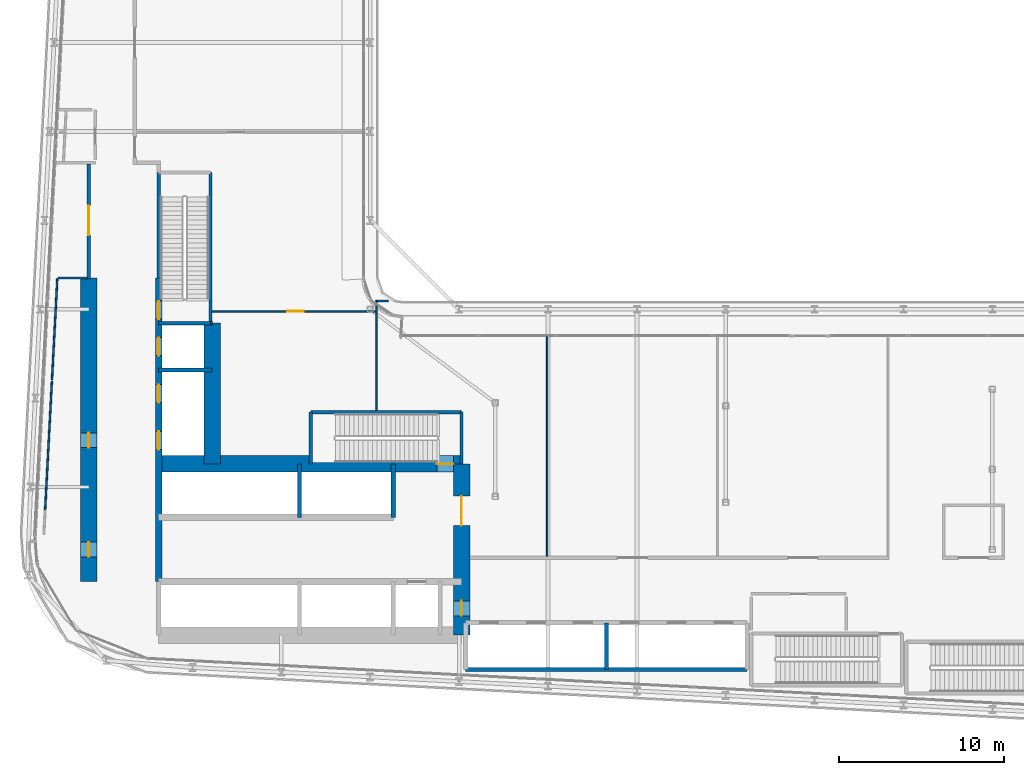
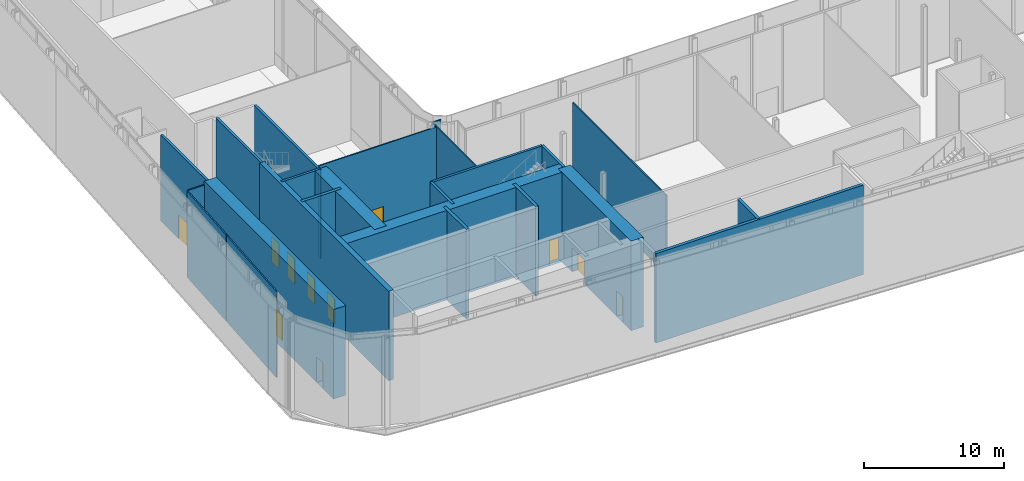
# One storey, part 25 of 36: 25 walls, 11 doors, 11 openings.
"""IFC4 building model written with IfcOpenShell, lengths in metres."""

from ifc_helpers import new_model, si_unit, direction, frame, frame_2d, origin, place, context, subcontext, project, spatial, rectangle, extrude, source, transform, mapped, material, layer, layer_set, type_object, element, fill, save


model = new_model("IFC4")

# Units and contexts
model_context = context("Model", 3, precision=1e-05, world=origin(), true_north=direction((0.0, 1.0)))
body_context = subcontext(model_context, "Body", "Model", "MODEL_VIEW")
ifc_project = project(units=[si_unit("LENGTHUNIT", "METRE"), si_unit("AREAUNIT", "SQUARE_METRE"), si_unit("VOLUMEUNIT", "CUBIC_METRE"), si_unit("PLANEANGLEUNIT", "RADIAN"), si_unit("MASSUNIT", "GRAM", prefix="KILO")], contexts=[model_context])

# Site, building, storey
site_placement = place(None, origin())
site = spatial("IfcSite", under=ifc_project, at=site_placement, CompositionType="ELEMENT")
building_placement = place(site_placement, origin())
building = spatial("IfcBuilding", under=site, at=building_placement, Name="Kheshtan School and Residences Tower", CompositionType="ELEMENT")
storey_placement = place(building_placement, frame((0.0, 0.0, 81.199951171875)))
storey = spatial("IfcBuildingStorey", under=building, at=storey_placement, Name="L19", CompositionType="ELEMENT", Elevation=81.199951171875)

# Wall, opening, door
ifc_material_1 = material(Name="Concrete C80/95", Category="concrete")
ifc_layer_1 = layer(ifc_material_1, 1.0)
ifc_layer_set_1 = layer_set([ifc_layer_1], Name="Core wall 1000 Concrete C80/95")
wall_type_1 = type_object("IfcWallType", Name="Core wall 1000 Concrete C80/95", PredefinedType="SHEAR", material=ifc_layer_set_1)
wall_1_placement = place(storey_placement, frame((34.75, 36.199951171875, 0.0), z_axis=(0.0, 0.0, 1.0), x_axis=(1.0, 0.0, 0.0)))
wall_1 = element("IfcWall", 1, at=wall_1_placement, inside=storey, type_object=wall_type_1, Name="Core wall CW-FRONT-S", PredefinedType="SHEAR", context=body_context, shape_type="SweptSolid", body=[
    extrude(rectangle(XDim=18.39990234375, YDim=1.0, at=frame_2d((9.199951171875, 0.0))), origin(), (0.0, 0.0, 1.0), 7.800048828125),
])
opening_1_placement = place(wall_1_placement, frame((16.89990234375, 0.0, 0.0)))
opening_1 = element("IfcOpeningElement", 2, at=opening_1_placement, cuts=wall_1, Name="Opening ST1D", PredefinedType="OPENING", context=body_context, shape_type="SweptSolid", body=[
    extrude(rectangle(XDim=1.0, YDim=2.199951171875, at=frame_2d((0.5, 1.10009765625))), frame((0.0, 0.510009765625, 0.0), z_axis=(0.0, -1.0, 0.0), x_axis=(1.0, 0.0, 0.0)), (0.0, 0.0, 1.0), 1.02001953125),
])
ifc_material_2 = material(Name="Steel door leaf, galvanised", Category="steel")
door_type_1 = type_object("IfcDoorType", Name="Stair door 1100 steel 90 min", OperationType="SINGLE_SWING_LEFT", PredefinedType="DOOR", material=ifc_material_2)
shared_shape_1 = source(origin(), body_context, "Body", "SweptSolid", [
    extrude(rectangle(XDim=1.0, YDim=2.199951171875, at=frame_2d((0.5, 1.10009765625))), frame((0.0, 0.02490234375, 0.0), z_axis=(0.0, -1.0, 0.0), x_axis=(1.0, 0.0, 0.0)), (0.0, 0.0, 1.0), 0.050048828125),
])
door_1_placement = place(opening_1_placement, origin())
door_1 = element("IfcDoor", 3, at=door_1_placement, inside=storey, type_object=door_type_1, Name="Stair ST1 door", OperationType="SINGLE_SWING_RIGHT", OverallHeight=2.199951171875, OverallWidth=1.0, PredefinedType="DOOR", context=body_context, shape_type="MappedRepresentation", body=[
    mapped(shared_shape_1, transform((0.0, 0.0, 0.0), x_axis=(1.0, 0.0, 0.0), y_axis=(0.0, 1.0, 0.0), z_axis=(0.0, 0.0, 1.0), scale=1.0)),
])
fill(opening_1, door_1)

# Wall
wall_2_placement = place(storey_placement, frame((38.0, 36.199951171875, 0.0), z_axis=(0.0, 0.0, 1.0), x_axis=(0.0, 1.0, 0.0)))
element("IfcWall", 4, at=wall_2_placement, inside=storey, type_object=wall_type_1, Name="Core wall CW-FRONT-W", PredefinedType="SHEAR", context=body_context, shape_type="SweptSolid", body=[
    extrude(rectangle(XDim=8.550048828125, YDim=1.0, at=frame_2d((4.27490234375, 0.0))), origin(), (0.0, 0.0, 1.0), 7.800048828125),
])

# Wall, openings, doors
wall_3_placement = place(storey_placement, frame((30.5, 29.050048828125, 0.0), z_axis=(0.0, 0.0, 1.0), x_axis=(0.0, 1.0, 0.0)))
wall_3 = element("IfcWall", 5, at=wall_3_placement, inside=storey, type_object=wall_type_1, Name="Core wall CW-REAR-W", PredefinedType="SHEAR", context=body_context, shape_type="SweptSolid", body=[
    extrude(rectangle(XDim=18.449951171875, YDim=1.0, at=frame_2d((9.22509765625, 0.0))), origin(), (0.0, 0.0, 1.0), 7.800048828125),
])
opening_2_placement = place(wall_3_placement, frame((1.5, 0.0, 0.0)))
opening_2 = element("IfcOpeningElement", 6, at=opening_2_placement, cuts=wall_3, Name="Opening SR90", PredefinedType="OPENING", context=body_context, shape_type="SweptSolid", body=[
    extrude(rectangle(XDim=0.89990234375, YDim=2.199951171875, at=frame_2d((0.449951171875, 1.10009765625))), frame((0.0, 0.510009765625, 0.0), z_axis=(0.0, -1.0, 0.0), x_axis=(1.0, 0.0, 0.0)), (0.0, 0.0, 1.0), 1.02001953125),
])
opening_3_placement = place(wall_3_placement, frame((8.14599609375, 0.0, 0.0)))
opening_3 = element("IfcOpeningElement", 7, at=opening_3_placement, cuts=wall_3, Name="Opening SR90", PredefinedType="OPENING", context=body_context, shape_type="SweptSolid", body=[
    extrude(rectangle(XDim=0.89990234375, YDim=2.199951171875, at=frame_2d((0.449951171875, 1.10009765625))), frame((0.0, 0.510009765625, 0.0), z_axis=(0.0, -1.0, 0.0), x_axis=(1.0, 0.0, 0.0)), (0.0, 0.0, 1.0), 1.02001953125),
])
door_type_2 = type_object("IfcDoorType", Name="Service room door 900 steel 90 min", OperationType="SINGLE_SWING_LEFT", PredefinedType="DOOR", material=ifc_material_2)
shared_shape_2 = source(origin(), body_context, "Body", "SweptSolid", [
    extrude(rectangle(XDim=0.89990234375, YDim=2.199951171875, at=frame_2d((0.449951171875, 1.10009765625))), frame((0.0, 0.02490234375, 0.0), z_axis=(0.0, -1.0, 0.0), x_axis=(1.0, 0.0, 0.0)), (0.0, 0.0, 1.0), 0.050048828125),
])
door_2_placement = place(opening_2_placement, origin())
door_2 = element("IfcDoor", 8, at=door_2_placement, inside=storey, type_object=door_type_2, Name="Service room door", OperationType="SINGLE_SWING_LEFT", OverallHeight=2.199951171875, OverallWidth=0.89990234375, PredefinedType="DOOR", context=body_context, shape_type="MappedRepresentation", body=[
    mapped(shared_shape_2, transform((0.0, 0.0, 0.0), x_axis=(1.0, 0.0, 0.0), y_axis=(0.0, 1.0, 0.0), z_axis=(0.0, 0.0, 1.0), scale=1.0)),
])
fill(opening_2, door_2)
door_3_placement = place(opening_3_placement, origin())
door_3 = element("IfcDoor", 9, at=door_3_placement, inside=storey, type_object=door_type_2, Name="Service room door", OperationType="SINGLE_SWING_LEFT", OverallHeight=2.199951171875, OverallWidth=0.89990234375, PredefinedType="DOOR", context=body_context, shape_type="MappedRepresentation", body=[
    mapped(shared_shape_2, transform((0.0, 0.0, 0.0), x_axis=(1.0, 0.0, 0.0), y_axis=(0.0, 1.0, 0.0), z_axis=(0.0, 0.0, 1.0), scale=1.0)),
])
fill(opening_3, door_3)

wall_4_placement = place(storey_placement, frame((53.14990234375, 25.800048828125, 0.0), z_axis=(0.0, 0.0, 1.0), x_axis=(0.0, 1.0, 0.0)))
wall_4 = element("IfcWall", 10, at=wall_4_placement, inside=storey, type_object=wall_type_1, Name="Core wall CW-EAST", PredefinedType="SHEAR", context=body_context, shape_type="SweptSolid", body=[
    extrude(rectangle(XDim=10.39990234375, YDim=1.0, at=frame_2d((5.199951171875, 0.0))), origin(), (0.0, 0.0, 1.0), 7.800048828125),
])
opening_4_placement = place(wall_4_placement, frame((1.175048828125, 0.0, 0.0)))
opening_4 = element("IfcOpeningElement", 11, at=opening_4_placement, cuts=wall_4, Name="Opening SR90", PredefinedType="OPENING", context=body_context, shape_type="SweptSolid", body=[
    extrude(rectangle(XDim=0.89990234375, YDim=2.199951171875, at=frame_2d((0.449951171875, 1.10009765625))), frame((0.0, 0.510009765625, 0.0), z_axis=(0.0, -1.0, 0.0), x_axis=(1.0, 0.0, 0.0)), (0.0, 0.0, 1.0), 1.02001953125),
])
opening_5_placement = place(wall_4_placement, frame((6.64990234375, 0.0, 0.0)))
opening_5 = element("IfcOpeningElement", 12, at=opening_5_placement, cuts=wall_4, Name="Opening D19-001", PredefinedType="OPENING", context=body_context, shape_type="SweptSolid", body=[
    extrude(rectangle(XDim=1.800048828125, YDim=2.10009765625, at=frame_2d((0.89990234375, 1.050048828125))), frame((0.0, 0.510009765625, 0.0), z_axis=(0.0, -1.0, 0.0), x_axis=(1.0, 0.0, 0.0)), (0.0, 0.0, 1.0), 1.02001953125),
])
door_4_placement = place(opening_4_placement, origin())
door_4 = element("IfcDoor", 13, at=door_4_placement, inside=storey, type_object=door_type_2, Name="Service room door", OperationType="SINGLE_SWING_RIGHT", OverallHeight=2.199951171875, OverallWidth=0.89990234375, PredefinedType="DOOR", context=body_context, shape_type="MappedRepresentation", body=[
    mapped(shared_shape_2, transform((0.0, 0.0, 0.0), x_axis=(1.0, 0.0, 0.0), y_axis=(0.0, 1.0, 0.0), z_axis=(0.0, 0.0, 1.0), scale=1.0)),
])
fill(opening_4, door_4)
ifc_material_3 = material(Name="Steel-framed fire-resisting door leaf", Category="steel")
door_type_3 = type_object("IfcDoorType", Name="Fire double door FD120 1800 x 2100", OperationType="DOUBLE_DOOR_SINGLE_SWING", PredefinedType="DOOR", material=ifc_material_3)
shared_shape_3 = source(origin(), body_context, "Body", "SweptSolid", [
    extrude(rectangle(XDim=1.800048828125, YDim=2.10009765625, at=frame_2d((0.89990234375, 1.050048828125))), frame((0.0, 0.02490234375, 0.0), z_axis=(0.0, -1.0, 0.0), x_axis=(1.0, 0.0, 0.0)), (0.0, 0.0, 1.0), 0.050048828125),
])
door_5_placement = place(opening_5_placement, origin())
door_5 = element("IfcDoor", 14, at=door_5_placement, inside=storey, type_object=door_type_3, Name="Door D19-001", OperationType="DOUBLE_DOOR_SINGLE_SWING", OverallHeight=2.10009765625, OverallWidth=1.800048828125, PredefinedType="DOOR", context=body_context, shape_type="MappedRepresentation", body=[
    mapped(shared_shape_3, transform((0.0, 0.0, 0.0), x_axis=(1.0, 0.0, 0.0), y_axis=(0.0, 1.0, 0.0), z_axis=(0.0, 0.0, 1.0), scale=1.0)),
])
fill(opening_5, door_5)

ifc_material_4 = material(Name="Concrete C50/60", Category="concrete")
ifc_layer_2 = layer(ifc_material_4, 0.39990234375)
ifc_layer_set_2 = layer_set([ifc_layer_2], Name="Core wall 400 Concrete C50/60")
wall_type_2 = type_object("IfcWallType", Name="Core wall 400 Concrete C50/60", PredefinedType="SHEAR", material=ifc_layer_set_2)
wall_5_placement = place(storey_placement, frame((34.75, 29.050048828125, 0.0), z_axis=(0.0, 0.0, 1.0), x_axis=(0.0, 1.0, 0.0)))
wall_5 = element("IfcWall", 15, at=wall_5_placement, inside=storey, type_object=wall_type_2, Name="Core wall CW-HALL-W1", PredefinedType="SHEAR", context=body_context, shape_type="SweptSolid", body=[
    extrude(rectangle(XDim=18.449951171875, YDim=0.39990234375, at=frame_2d((9.22509765625, 0.0))), origin(), (0.0, 0.0, 1.0), 7.800048828125),
])
opening_6_placement = place(wall_5_placement, frame((8.02490234375, 0.0, 0.0)))
opening_6 = element("IfcOpeningElement", 16, at=opening_6_placement, cuts=wall_5, Name="Opening LD", PredefinedType="OPENING", context=body_context, shape_type="SweptSolid", body=[
    extrude(rectangle(XDim=1.10009765625, YDim=2.199951171875, at=frame_2d((0.550048828125, 1.10009765625))), frame((0.0, 0.2099609375, 0.0), z_axis=(0.0, -1.0, 0.0), x_axis=(1.0, 0.0, 0.0)), (0.0, 0.0, 1.0), 0.419921875),
])
opening_7_placement = place(wall_5_placement, frame((10.875, 0.0, 0.0)))
opening_7 = element("IfcOpeningElement", 17, at=opening_7_placement, cuts=wall_5, Name="Opening LD", PredefinedType="OPENING", context=body_context, shape_type="SweptSolid", body=[
    extrude(rectangle(XDim=1.10009765625, YDim=2.199951171875, at=frame_2d((0.550048828125, 1.10009765625))), frame((0.0, 0.2099609375, 0.0), z_axis=(0.0, -1.0, 0.0), x_axis=(1.0, 0.0, 0.0)), (0.0, 0.0, 1.0), 0.419921875),
])
opening_8_placement = place(wall_5_placement, frame((13.72509765625, 0.0, 0.0)))
opening_8 = element("IfcOpeningElement", 18, at=opening_8_placement, cuts=wall_5, Name="Opening LD", PredefinedType="OPENING", context=body_context, shape_type="SweptSolid", body=[
    extrude(rectangle(XDim=1.10009765625, YDim=2.199951171875, at=frame_2d((0.550048828125, 1.10009765625))), frame((0.0, 0.2099609375, 0.0), z_axis=(0.0, -1.0, 0.0), x_axis=(1.0, 0.0, 0.0)), (0.0, 0.0, 1.0), 0.419921875),
])
opening_9_placement = place(wall_5_placement, frame((15.949951171875, 0.0, 0.0)))
opening_9 = element("IfcOpeningElement", 19, at=opening_9_placement, cuts=wall_5, Name="Opening ST2D", PredefinedType="OPENING", context=body_context, shape_type="SweptSolid", body=[
    extrude(rectangle(XDim=1.10009765625, YDim=2.199951171875, at=frame_2d((0.550048828125, 1.10009765625))), frame((0.0, 0.2099609375, 0.0), z_axis=(0.0, -1.0, 0.0), x_axis=(1.0, 0.0, 0.0)), (0.0, 0.0, 1.0), 0.419921875),
])
ifc_material_5 = material(Name="Stainless steel door leaves", Category="steel")
door_type_4 = type_object("IfcDoorType", Name="Lift landing door 1100", OperationType="SLIDING_TO_LEFT", PredefinedType="DOOR", material=ifc_material_5)
shared_shape_4 = source(origin(), body_context, "Body", "SweptSolid", [
    extrude(rectangle(XDim=1.10009765625, YDim=2.199951171875, at=frame_2d((0.550048828125, 1.10009765625))), frame((0.0, 0.02490234375, 0.0), z_axis=(0.0, -1.0, 0.0), x_axis=(1.0, 0.0, 0.0)), (0.0, 0.0, 1.0), 0.050048828125),
])
door_6_placement = place(opening_6_placement, origin())
door_6 = element("IfcDoor", 20, at=door_6_placement, inside=storey, type_object=door_type_4, Name="Lift SV1 landing door", OperationType="SLIDING_TO_LEFT", OverallHeight=2.199951171875, OverallWidth=1.10009765625, PredefinedType="DOOR", context=body_context, shape_type="MappedRepresentation", body=[
    mapped(shared_shape_4, transform((0.0, 0.0, 0.0), x_axis=(1.0, 0.0, 0.0), y_axis=(0.0, 1.0, 0.0), z_axis=(0.0, 0.0, 1.0), scale=1.0)),
])
fill(opening_6, door_6)
door_7_placement = place(opening_7_placement, origin())
door_7 = element("IfcDoor", 21, at=door_7_placement, inside=storey, type_object=door_type_4, Name="Lift SV2 landing door", OperationType="SLIDING_TO_LEFT", OverallHeight=2.199951171875, OverallWidth=1.10009765625, PredefinedType="DOOR", context=body_context, shape_type="MappedRepresentation", body=[
    mapped(shared_shape_4, transform((0.0, 0.0, 0.0), x_axis=(1.0, 0.0, 0.0), y_axis=(0.0, 1.0, 0.0), z_axis=(0.0, 0.0, 1.0), scale=1.0)),
])
fill(opening_7, door_7)
door_8_placement = place(opening_8_placement, origin())
door_8 = element("IfcDoor", 22, at=door_8_placement, inside=storey, type_object=door_type_4, Name="Lift FFL1 landing door", OperationType="SLIDING_TO_LEFT", OverallHeight=2.199951171875, OverallWidth=1.10009765625, PredefinedType="DOOR", context=body_context, shape_type="MappedRepresentation", body=[
    mapped(shared_shape_4, transform((0.0, 0.0, 0.0), x_axis=(1.0, 0.0, 0.0), y_axis=(0.0, 1.0, 0.0), z_axis=(0.0, 0.0, 1.0), scale=1.0)),
])
fill(opening_8, door_8)
shared_shape_5 = source(origin(), body_context, "Body", "SweptSolid", [
    extrude(rectangle(XDim=1.10009765625, YDim=2.199951171875, at=frame_2d((0.550048828125, 1.10009765625))), frame((0.0, 0.02490234375, 0.0), z_axis=(0.0, -1.0, 0.0), x_axis=(1.0, 0.0, 0.0)), (0.0, 0.0, 1.0), 0.050048828125),
])
door_9_placement = place(opening_9_placement, origin())
door_9 = element("IfcDoor", 23, at=door_9_placement, inside=storey, type_object=door_type_1, Name="Stair ST2 door", OperationType="SINGLE_SWING_RIGHT", OverallHeight=2.199951171875, OverallWidth=1.10009765625, PredefinedType="DOOR", context=body_context, shape_type="MappedRepresentation", body=[
    mapped(shared_shape_5, transform((0.0, 0.0, 0.0), x_axis=(1.0, 0.0, 0.0), y_axis=(0.0, 1.0, 0.0), z_axis=(0.0, 0.0, 1.0), scale=1.0)),
])
fill(opening_9, door_9)

# Wall, opening, door
ifc_material_6 = material(Name="Gypsum board on steel studs with fire boards", Category="steel")
ifc_layer_3 = layer(ifc_material_6, 0.199951171875)
ifc_layer_set_3 = layer_set([ifc_layer_3], Name="Corridor wall 200")
wall_type_3 = type_object("IfcWallType", Name="Corridor wall 200", PredefinedType="PARTITIONING", material=ifc_layer_set_3)
wall_6_placement = place(storey_placement, frame((30.5, 47.449951171875, 0.0), z_axis=(0.0, 0.0, 1.0), x_axis=(0.0, 1.0, 0.0)))
wall_6 = element("IfcWall", 24, at=wall_6_placement, inside=storey, type_object=wall_type_3, Name="Partition L19-013", PredefinedType="PARTITIONING", context=body_context, shape_type="SweptSolid", body=[
    extrude(rectangle(XDim=6.97607421875, YDim=0.199951171875, at=frame_2d((3.488037109375, 0.0))), origin(), (0.0, 0.0, 1.0), 7.5),
])
opening_10_placement = place(wall_6_placement, frame((2.64990234375, 0.0, 0.0)))
opening_10 = element("IfcOpeningElement", 25, at=opening_10_placement, cuts=wall_6, Name="Opening D19-006", PredefinedType="OPENING", context=body_context, shape_type="SweptSolid", body=[
    extrude(rectangle(XDim=1.800048828125, YDim=2.10009765625, at=frame_2d((0.89990234375, 1.050048828125))), frame((0.0, 0.10986328125, 0.0), z_axis=(0.0, -1.0, 0.0), x_axis=(1.0, 0.0, 0.0)), (0.0, 0.0, 1.0), 0.219970703125),
])
door_type_5 = type_object("IfcDoorType", Name="Fire double door FD60 1800 x 2100", OperationType="DOUBLE_DOOR_SINGLE_SWING", PredefinedType="DOOR", material=ifc_material_3)
shared_shape_6 = source(origin(), body_context, "Body", "SweptSolid", [
    extrude(rectangle(XDim=1.800048828125, YDim=2.10009765625, at=frame_2d((0.89990234375, 1.050048828125))), frame((0.0, 0.02490234375, 0.0), z_axis=(0.0, -1.0, 0.0), x_axis=(1.0, 0.0, 0.0)), (0.0, 0.0, 1.0), 0.050048828125),
])
door_10_placement = place(opening_10_placement, origin())
door_10 = element("IfcDoor", 26, at=door_10_placement, inside=storey, type_object=door_type_5, Name="Door D19-006", OperationType="DOUBLE_DOOR_SINGLE_SWING", OverallHeight=2.10009765625, OverallWidth=1.800048828125, PredefinedType="DOOR", context=body_context, shape_type="MappedRepresentation", body=[
    mapped(shared_shape_6, transform((0.0, 0.0, 0.0), x_axis=(1.0, 0.0, 0.0), y_axis=(0.0, 1.0, 0.0), z_axis=(0.0, 0.0, 1.0), scale=1.0)),
])
fill(opening_10, door_10)

# Walls
ifc_material_7 = material(Name="Gypsum board on steel studs", Category="steel")
ifc_layer_4 = layer(ifc_material_7, 0.10009765625)
ifc_layer_set_4 = layer_set([ifc_layer_4], Name="Gypsum partition 100")
wall_type_4 = type_object("IfcWallType", Name="Gypsum partition 100", PredefinedType="PARTITIONING", material=ifc_layer_set_4)
wall_7_placement = place(storey_placement, frame((27.844970703125, 33.39306640625, 0.0), z_axis=(0.0, 0.0, 1.0), x_axis=(0.052580086943, 0.998616710484, 0.0)))
element("IfcWall", 27, at=wall_7_placement, inside=storey, type_object=wall_type_4, Name="Partition L19-007", PredefinedType="PARTITIONING", context=body_context, shape_type="SweptSolid", body=[
    extrude(rectangle(XDim=7.837646484375, YDim=0.10009765625, at=frame_2d((3.9189453125, 0.0))), origin(), (0.0, 0.0, 1.0), 7.5),
])
wall_8_placement = place(storey_placement, frame((28.263916015625, 41.320068359375, 0.0), z_axis=(0.0, 0.0, 1.0), x_axis=(0.052460718565, 0.998622988423, 0.0)))
element("IfcWall", 28, at=wall_8_placement, inside=storey, type_object=wall_type_4, Name="Partition L19-008", PredefinedType="PARTITIONING", context=body_context, shape_type="SweptSolid", body=[
    extrude(rectangle(XDim=6.138427734375, YDim=0.10009765625, at=frame_2d((3.0693359375, 0.0))), origin(), (0.0, 0.0, 1.0), 7.5),
])
wall_9_placement = place(storey_placement, frame((28.637939453125, 47.5, 0.0), z_axis=(0.0, 0.0, 1.0), x_axis=(1.0, 0.0, 0.0)))
element("IfcWall", 29, at=wall_9_placement, inside=storey, type_object=wall_type_4, Name="Partition L19-009", PredefinedType="PARTITIONING", context=body_context, shape_type="SweptSolid", body=[
    extrude(rectangle(XDim=1.761962890625, YDim=0.10009765625, at=frame_2d((0.880859375, 0.0))), origin(), (0.0, 0.0, 1.0), 7.5),
])

# Wall, opening, door
wall_10_placement = place(storey_placement, frame((37.9990234375, 45.472900390625, 0.0), z_axis=(0.0, 0.0, 1.0), x_axis=(1.0, 0.0, 0.0)))
wall_10 = element("IfcWall", 30, at=wall_10_placement, inside=storey, type_object=wall_type_4, Name="Partition L19-024", PredefinedType="PARTITIONING", context=body_context, shape_type="SweptSolid", body=[
    extrude(rectangle(XDim=9.94091796875, YDim=0.10009765625, at=frame_2d((4.970458984375, 0.0))), origin(), (0.0, 0.0, 1.0), 7.5),
])
opening_11_placement = place(wall_10_placement, frame((4.551025390625, 0.0, 0.0)))
opening_11 = element("IfcOpeningElement", 31, at=opening_11_placement, cuts=wall_10, Name="Opening D19-009", PredefinedType="OPENING", context=body_context, shape_type="SweptSolid", body=[
    extrude(rectangle(XDim=1.0, YDim=2.10009765625, at=frame_2d((0.5, 1.050048828125))), frame((0.0, 0.06005859375, 0.0), z_axis=(0.0, -1.0, 0.0), x_axis=(1.0, 0.0, 0.0)), (0.0, 0.0, 1.0), 0.1201171875),
])
ifc_material_8 = material(Name="Veneered timber door leaf", Category="wood")
door_type_6 = type_object("IfcDoorType", Name="Door 1000 x 2100", OperationType="SINGLE_SWING_LEFT", PredefinedType="DOOR", material=ifc_material_8)
shared_shape_7 = source(origin(), body_context, "Body", "SweptSolid", [
    extrude(rectangle(XDim=1.0, YDim=2.10009765625, at=frame_2d((0.5, 1.050048828125))), frame((0.0, 0.02490234375, 0.0), z_axis=(0.0, -1.0, 0.0), x_axis=(1.0, 0.0, 0.0)), (0.0, 0.0, 1.0), 0.050048828125),
])
door_11_placement = place(opening_11_placement, origin())
door_11 = element("IfcDoor", 32, at=door_11_placement, inside=storey, type_object=door_type_6, Name="Door D19-009", OperationType="SINGLE_SWING_LEFT", OverallHeight=2.10009765625, OverallWidth=1.0, PredefinedType="DOOR", context=body_context, shape_type="MappedRepresentation", body=[
    mapped(shared_shape_7, transform((0.0, 0.0, 0.0), x_axis=(1.0, 0.0, 0.0), y_axis=(0.0, 1.0, 0.0), z_axis=(0.0, 0.0, 1.0), scale=1.0)),
])
fill(opening_11, door_11)

# Walls
wall_11_placement = place(storey_placement, frame((47.989990234375, 39.448974609375, 0.0), z_axis=(0.0, 0.0, 1.0), x_axis=(0.0, 1.0, 0.0)))
element("IfcWall", 33, at=wall_11_placement, inside=storey, type_object=wall_type_4, Name="Partition L19-025", PredefinedType="PARTITIONING", context=body_context, shape_type="SweptSolid", body=[
    extrude(rectangle(XDim=6.700927734375, YDim=0.10009765625, at=frame_2d((3.3505859375, 0.0))), origin(), (0.0, 0.0, 1.0), 7.5),
])
wall_12_placement = place(storey_placement, frame((48.0400390625, 46.10009765625, 0.0), z_axis=(0.0, 0.0, 1.0), x_axis=(1.0, 0.0, 0.0)))
element("IfcWall", 34, at=wall_12_placement, inside=storey, type_object=wall_type_4, Name="Partition L19-026", PredefinedType="PARTITIONING", context=body_context, shape_type="SweptSolid", body=[
    extrude(rectangle(XDim=0.64404296875, YDim=0.10009765625, at=frame_2d((0.322021484375, 0.0))), origin(), (0.0, 0.0, 1.0), 7.5),
])
wall_13_placement = place(storey_placement, frame((58.347900390625, 30.60009765625, 0.0), z_axis=(0.0, 0.0, 1.0), x_axis=(0.0, 1.0, 0.0)))
element("IfcWall", 35, at=wall_13_placement, inside=storey, type_object=wall_type_4, Name="Partition L19-028", PredefinedType="PARTITIONING", context=body_context, shape_type="SweptSolid", body=[
    extrude(rectangle(XDim=13.369873046875, YDim=0.10009765625, at=frame_2d((6.68505859375, 0.0))), origin(), (0.0, 0.0, 1.0), 6.89697265625),
])
ifc_material_9 = material(Name="Fire-board shaft wall system")
ifc_layer_5 = layer(ifc_material_9, 0.25)
ifc_layer_set_5 = layer_set([ifc_layer_5], Name="Shaft lining wall 250")
wall_type_5 = type_object("IfcWallType", Name="Shaft lining wall 250", PredefinedType="PARTITIONING", material=ifc_layer_set_5)
for number, where, z_axis, x_axis, name in (
    (36, (43.300048828125, 32.949951171875, 0.0), (0.0, 0.0, 1.0), (0.0, 1.0, 0.0), "Shaft lining wall"),
    (37, (49.0, 32.949951171875, 0.0), (0.0, 0.0, 1.0), (0.0, 1.0, 0.0), "Shaft lining wall"),
):
    element("IfcWall", number, at=place(storey_placement, frame(where, z_axis=z_axis, x_axis=x_axis)), inside=storey, type_object=wall_type_5, Name=name, PredefinedType="PARTITIONING", context=body_context, shape_type="SweptSolid", body=[
        extrude(rectangle(XDim=3.25, YDim=0.25, at=frame_2d((1.625, 0.0))), origin(), (0.0, 0.0, 1.0), 7.800048828125),
    ])
wall_14_placement = place(storey_placement, frame((61.949951171875, 23.699951171875, 0.0), z_axis=(0.0, 0.0, 1.0), x_axis=(0.0, 1.0, 0.0)))
element("IfcWall", 38, at=wall_14_placement, inside=storey, type_object=wall_type_5, Name="Shaft lining wall", PredefinedType="PARTITIONING", context=body_context, shape_type="SweptSolid", body=[
    extrude(rectangle(XDim=2.85009765625, YDim=0.25, at=frame_2d((1.425048828125, 0.0))), origin(), (0.0, 0.0, 1.0), 7.800048828125),
])
wall_15_placement = place(storey_placement, frame((53.39990234375, 23.699951171875, 0.0), z_axis=(0.0, 0.0, 1.0), x_axis=(1.0, 0.0, 0.0)))
element("IfcWall", 39, at=wall_15_placement, inside=storey, type_object=wall_type_5, Name="Shaft lining wall", PredefinedType="PARTITIONING", context=body_context, shape_type="SweptSolid", body=[
    extrude(rectangle(XDim=17.10009765625, YDim=0.25, at=frame_2d((8.550048828125, 0.0))), origin(), (0.0, 0.0, 1.0), 7.800048828125),
])
wall_16_placement = place(storey_placement, frame((34.75, 41.89990234375, 0.0), z_axis=(0.0, 0.0, 1.0), x_axis=(1.0, 0.0, 0.0)))
element("IfcWall", 40, at=wall_16_placement, inside=storey, type_object=wall_type_5, Name="Shaft lining wall", PredefinedType="PARTITIONING", context=body_context, shape_type="SweptSolid", body=[
    extrude(rectangle(XDim=3.25, YDim=0.25, at=frame_2d((1.625, 0.0))), origin(), (0.0, 0.0, 1.0), 7.800048828125),
])
wall_17_placement = place(storey_placement, frame((37.89990234375, 44.75, 0.0), z_axis=(0.0, 0.0, 1.0), x_axis=(1.0, 0.0, 0.0)))
element("IfcWall", 41, at=wall_17_placement, inside=storey, type_object=wall_type_5, Name="Shaft lining wall", PredefinedType="PARTITIONING", context=body_context, shape_type="SweptSolid", body=[
    extrude(rectangle(XDim=0.10009765625, YDim=0.25, at=frame_2d((0.050048828125, 0.0))), origin(), (0.0, 0.0, 1.0), 7.800048828125),
])
ifc_material_10 = material(Name="Concrete C40/50", Category="concrete")
ifc_layer_6 = layer(ifc_material_10, 0.199951171875)
ifc_layer_set_6 = layer_set([ifc_layer_6], Name="Stair enclosure wall 200 Concrete C40/50")
wall_type_6 = type_object("IfcWallType", Name="Stair enclosure wall 200 Concrete C40/50", PredefinedType="SHEAR", material=ifc_layer_set_6)
wall_18_placement = place(storey_placement, frame((43.989990234375, 39.35009765625, 0.0), z_axis=(0.0, 0.0, 1.0), x_axis=(1.0, 0.0, 0.0)))
element("IfcWall", 42, at=wall_18_placement, inside=storey, type_object=wall_type_6, Name="Stair enclosure wall ST1", PredefinedType="SHEAR", context=body_context, shape_type="SweptSolid", body=[
    extrude(rectangle(XDim=9.159912109375, YDim=0.199951171875, at=frame_2d((4.580078125, 0.0))), origin(), (0.0, 0.0, 1.0), 7.800048828125),
])
for number, where, z_axis, x_axis, name in (
    (43, (43.989990234375, 36.199951171875, 0.0), (0.0, 0.0, 1.0), (0.0, 1.0, 0.0), "Stair enclosure wall ST1"),
    (44, (53.14990234375, 36.199951171875, 0.0), (0.0, 0.0, 1.0), (0.0, 1.0, 0.0), "Stair enclosure wall ST1"),
):
    element("IfcWall", number, at=place(storey_placement, frame(where, z_axis=z_axis, x_axis=x_axis)), inside=storey, type_object=wall_type_6, Name=name, PredefinedType="SHEAR", context=body_context, shape_type="SweptSolid", body=[
        extrude(rectangle(XDim=3.150146484375, YDim=0.199951171875, at=frame_2d((1.5751953125, 0.0))), origin(), (0.0, 0.0, 1.0), 7.800048828125),
    ])
wall_19_placement = place(storey_placement, frame((34.75, 44.75, 0.0), z_axis=(0.0, 0.0, 1.0), x_axis=(1.0, 0.0, 0.0)))
element("IfcWall", 45, at=wall_19_placement, inside=storey, type_object=wall_type_6, Name="Stair enclosure wall ST2", PredefinedType="SHEAR", context=body_context, shape_type="SweptSolid", body=[
    extrude(rectangle(XDim=3.14990234375, YDim=0.199951171875, at=frame_2d((1.574951171875, 0.0))), origin(), (0.0, 0.0, 1.0), 7.800048828125),
])
wall_20_placement = place(storey_placement, frame((34.75, 47.5, 0.0), z_axis=(0.0, 0.0, 1.0), x_axis=(0.0, 1.0, 0.0)))
element("IfcWall", 46, at=wall_20_placement, inside=storey, type_object=wall_type_6, Name="Stair enclosure wall ST2", PredefinedType="SHEAR", context=body_context, shape_type="SweptSolid", body=[
    extrude(rectangle(XDim=6.409912109375, YDim=0.199951171875, at=frame_2d((3.205078125, 0.0))), origin(), (0.0, 0.0, 1.0), 7.800048828125),
])
wall_21_placement = place(storey_placement, frame((37.89990234375, 44.75, 0.0), z_axis=(0.0, 0.0, 1.0), x_axis=(0.0, 1.0, 0.0)))
element("IfcWall", 47, at=wall_21_placement, inside=storey, type_object=wall_type_6, Name="Stair enclosure wall ST2", PredefinedType="SHEAR", context=body_context, shape_type="SweptSolid", body=[
    extrude(rectangle(XDim=9.159912109375, YDim=0.199951171875, at=frame_2d((4.580078125, 0.0))), origin(), (0.0, 0.0, 1.0), 7.800048828125),
])

save(model, "model.ifc")
